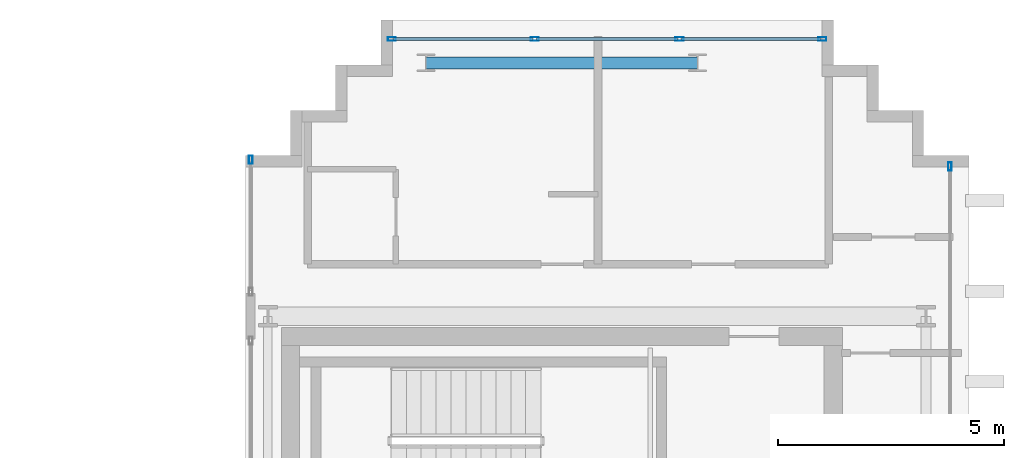
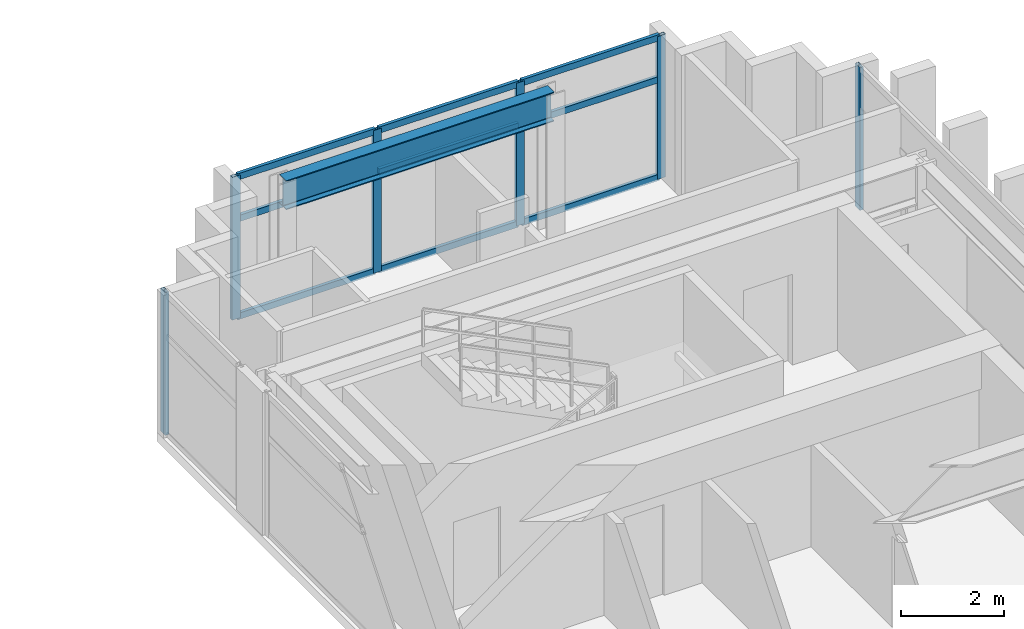
# One storey, part 17 of 25: 15 members, 1 beam, 3 elements without a shape of their own.
"""IFC4 building model written with IfcOpenShell, lengths in metres."""

from ifc_helpers import new_model, si_unit, direction, frame, origin, origin_2d, place, context, subcontext, project, spatial, hollow_rectangle, i_section, extrude, source, transform, mapped, material, layer, layer_set, material_profile, profile_set, type_object, element, aggregate, save


model = new_model("IFC4")

# Units and contexts
model_context = context("Model", 3, precision=1e-05, world=origin(), true_north=direction((0.0, 1.0)))
body_context = subcontext(model_context, "Body", "Model", "MODEL_VIEW")
ifc_project = project(units=[si_unit("LENGTHUNIT", "METRE"), si_unit("AREAUNIT", "SQUARE_METRE"), si_unit("VOLUMEUNIT", "CUBIC_METRE"), si_unit("PLANEANGLEUNIT", "RADIAN"), si_unit("MASSUNIT", "GRAM", prefix="KILO")], contexts=[model_context])

# Site, building, storey
site_placement = place(None, origin())
site = spatial("IfcSite", under=ifc_project, at=site_placement, CompositionType="ELEMENT")
building_placement = place(site_placement, origin())
building = spatial("IfcBuilding", under=site, at=building_placement, Name="Ocotamira Hotel", CompositionType="ELEMENT")
storey_placement = place(building_placement, frame((0.0, 0.0, 258.0)))
storey = spatial("IfcBuildingStorey", under=building, at=storey_placement, Name="L65", CompositionType="ELEMENT", Elevation=258.0)

# Beam
ifc_material_1 = material(Name="Steel ASTM A992 Grade 50", Category="steel")
ifc_material_profile_1 = material_profile(ifc_material_1, i_section(OverallWidth=0.256103515625, OverallDepth=0.693115234375, WebThickness=0.014404296875, FlangeThickness=0.023681640625, FilletRadius=0.01611328125, at=origin_2d()), Name="W27X114")
ifc_profile_set_1 = profile_set([ifc_material_profile_1], Name="Steel ASTM A992 Grade 50")
beam_type = type_object("IfcBeamType", Name="BM-PRIM-W27X114", PredefinedType="BEAM", material=ifc_profile_set_1)
shared_shape_1 = source(origin(), body_context, "Body", "SweptSolid", [
    extrude(i_section(OverallWidth=0.256103515625, OverallDepth=0.693115234375, WebThickness=0.014404296875, FlangeThickness=0.023681640625, FilletRadius=0.01611328125, at=origin_2d()), origin(), (0.0, 0.0, 1.0), 6.0),
])
beam_placement = place(storey_placement, frame((44.0, 43.050048828125, 3.033447265625), z_axis=(1.0, 0.0, 0.0), x_axis=(0.0, 1.0, 0.0)))
element("IfcBeam", 1, at=beam_placement, inside=storey, type_object=beam_type, Name="L65 Girder Y43.05 X44-50", PredefinedType="BEAM", context=body_context, shape_type="MappedRepresentation", body=[
    mapped(shared_shape_1, transform((0.0, 0.0, 0.0), scale=1.0)),
])

# Curtain wall, members
ifc_material_2 = material(Name="Anodised pale-metal aluminium and solar glass", Category="aluminium")
ifc_layer = layer(ifc_material_2, 0.2099609375)
ifc_layer_set = layer_set([ifc_layer], Name="Anodised pale-metal aluminium and solar glass")
curtain_wall_type = type_object("IfcCurtainWallType", Name="CW-SYS7-PEAK", PredefinedType="NOTDEFINED", material=ifc_layer_set)
curtain_wall_1_placement = place(storey_placement, origin())
curtain_wall_1 = element("IfcCurtainWall", 2, at=curtain_wall_1_placement, inside=storey, type_object=curtain_wall_type, Name="L65 Curtain Wall CW-7 CW-L65-EN", PredefinedType="NOTDEFINED")
ifc_material_3 = material(Name="Anodised pale-metal aluminium 6063-T6", Category="aluminium")
ifc_material_profile_2 = material_profile(ifc_material_3, hollow_rectangle(XDim=0.080078125, YDim=0.179931640625, WallThickness=0.006103515625, at=origin_2d()), Name="HSS180X80X6")
ifc_profile_set_2 = profile_set([ifc_material_profile_2], Name="Anodised pale-metal aluminium 6063-T6")
member_type_1 = type_object("IfcMemberType", Name="CWM-180X75", PredefinedType="MULLION", material=ifc_profile_set_2)
shared_shape_2 = source(origin(), body_context, "Body", "SweptSolid", [
    extrude(hollow_rectangle(XDim=0.080078125, YDim=0.179931640625, WallThickness=0.006103515625, at=origin_2d()), origin(), (0.0, 0.0, 1.0), 3.3798828125),
])
member_1_placement = place(storey_placement, frame((43.239990234375, 43.580078125, 0.0), z_axis=(0.0, 0.0, 1.0), x_axis=(0.0, 1.0, 0.0)))
member_1 = element("IfcMember", 3, at=member_1_placement, type_object=member_type_1, Name="CW-7 mullion 1", PredefinedType="MULLION", context=body_context, shape_type="MappedRepresentation", body=[
    mapped(shared_shape_2, transform((0.0, 0.0, 0.0), scale=1.0)),
])
member_2_placement = place(storey_placement, frame((46.39990234375, 43.580078125, 0.0), z_axis=(0.0, 0.0, 1.0), x_axis=(0.0, 1.0, 0.0)))
member_2 = element("IfcMember", 4, at=member_2_placement, type_object=member_type_1, Name="CW-7 mullion 2", PredefinedType="MULLION", context=body_context, shape_type="MappedRepresentation", body=[
    mapped(shared_shape_2, transform((0.0, 0.0, 0.0), scale=1.0)),
])
member_3_placement = place(storey_placement, frame((49.60009765625, 43.580078125, 0.0), z_axis=(0.0, 0.0, 1.0), x_axis=(0.0, 1.0, 0.0)))
member_3 = element("IfcMember", 5, at=member_3_placement, type_object=member_type_1, Name="CW-7 mullion 3", PredefinedType="MULLION", context=body_context, shape_type="MappedRepresentation", body=[
    mapped(shared_shape_2, transform((0.0, 0.0, 0.0), scale=1.0)),
])
member_4_placement = place(storey_placement, frame((52.760009765625, 43.580078125, 0.0), z_axis=(0.0, 0.0, 1.0), x_axis=(0.0, 1.0, 0.0)))
member_4 = element("IfcMember", 6, at=member_4_placement, type_object=member_type_1, Name="CW-7 mullion 4", PredefinedType="MULLION", context=body_context, shape_type="MappedRepresentation", body=[
    mapped(shared_shape_2, transform((0.0, 0.0, 0.0), scale=1.0)),
])

# Curtain wall, member
curtain_wall_2_placement = place(storey_placement, origin())
curtain_wall_2 = element("IfcCurtainWall", 7, at=curtain_wall_2_placement, inside=storey, type_object=curtain_wall_type, Name="L65 Curtain Wall CW-7 CW-L65-EO2", PredefinedType="NOTDEFINED")
member_5_placement = place(storey_placement, frame((55.580078125, 40.760009765625, 0.0), z_axis=(0.0, 0.0, 1.0), x_axis=(-1.0, 0.0, 0.0)))
member_5 = element("IfcMember", 8, at=member_5_placement, type_object=member_type_1, Name="CW-7 mullion 3", PredefinedType="MULLION", context=body_context, shape_type="MappedRepresentation", body=[
    mapped(shared_shape_2, transform((0.0, 0.0, 0.0), scale=1.0)),
])
aggregate(curtain_wall_2, [member_5])

curtain_wall_3_placement = place(storey_placement, origin())
curtain_wall_3 = element("IfcCurtainWall", 9, at=curtain_wall_3_placement, inside=storey, type_object=curtain_wall_type, Name="L65 Curtain Wall CW-7 CW-L65-EI4", PredefinedType="NOTDEFINED")
member_6_placement = place(storey_placement, frame((40.1201171875, 40.909912109375, 0.0), z_axis=(0.0, 0.0, 1.0), x_axis=(-1.0, 0.0, 0.0)))
member_6 = element("IfcMember", 10, at=member_6_placement, type_object=member_type_1, Name="CW-7 mullion 2", PredefinedType="MULLION", context=body_context, shape_type="MappedRepresentation", body=[
    mapped(shared_shape_2, transform((0.0, 0.0, 0.0), scale=1.0)),
])
aggregate(curtain_wall_3, [member_6])

# Member
ifc_material_profile_3 = material_profile(ifc_material_3, hollow_rectangle(XDim=0.074951171875, YDim=0.14990234375, WallThickness=0.006103515625, at=origin_2d()), Name="HSS150X75X6")
ifc_profile_set_3 = profile_set([ifc_material_profile_3], Name="Anodised pale-metal aluminium 6063-T6")
member_type_2 = type_object("IfcMemberType", Name="CWT-150X75", PredefinedType="USERDEFINED", material=ifc_profile_set_3)
shared_shape_3 = source(origin(), body_context, "Body", "SweptSolid", [
    extrude(hollow_rectangle(XDim=0.074951171875, YDim=0.14990234375, WallThickness=0.006103515625, at=origin_2d()), origin(), (0.0, 0.0, 1.0), 3.080078125),
])
member_7_placement = place(storey_placement, frame((43.280029296875, 43.580078125, 0.03759765625), z_axis=(1.0, 0.0, 0.0), x_axis=(0.0, 1.0, 0.0)))
member_7 = element("IfcMember", 11, at=member_7_placement, type_object=member_type_2, Name="CW-7 transom 1.1", ObjectType="TRANSOM", PredefinedType="USERDEFINED", context=body_context, shape_type="MappedRepresentation", body=[
    mapped(shared_shape_3, transform((0.0, 0.0, 0.0), scale=1.0)),
])

member_8_placement = place(storey_placement, frame((43.280029296875, 43.580078125, 2.35009765625), z_axis=(1.0, 0.0, 0.0), x_axis=(0.0, 1.0, 0.0)))
member_8 = element("IfcMember", 12, at=member_8_placement, type_object=member_type_2, Name="CW-7 transom 1.2", ObjectType="TRANSOM", PredefinedType="USERDEFINED", context=body_context, shape_type="MappedRepresentation", body=[
    mapped(shared_shape_3, transform((0.0, 0.0, 0.0), scale=1.0)),
])

member_9_placement = place(storey_placement, frame((43.280029296875, 43.580078125, 3.342529296875), z_axis=(1.0, 0.0, 0.0), x_axis=(0.0, 1.0, 0.0)))
member_9 = element("IfcMember", 13, at=member_9_placement, type_object=member_type_2, Name="CW-7 transom 1.3", ObjectType="TRANSOM", PredefinedType="USERDEFINED", context=body_context, shape_type="MappedRepresentation", body=[
    mapped(shared_shape_3, transform((0.0, 0.0, 0.0), scale=1.0)),
])

member_10_placement = place(storey_placement, frame((49.639892578125, 43.580078125, 0.03759765625), z_axis=(1.0, 0.0, 0.0), x_axis=(0.0, 1.0, 0.0)))
member_10 = element("IfcMember", 14, at=member_10_placement, type_object=member_type_2, Name="CW-7 transom 3.1", ObjectType="TRANSOM", PredefinedType="USERDEFINED", context=body_context, shape_type="MappedRepresentation", body=[
    mapped(shared_shape_3, transform((0.0, 0.0, 0.0), scale=1.0)),
])

member_11_placement = place(storey_placement, frame((49.639892578125, 43.580078125, 2.35009765625), z_axis=(1.0, 0.0, 0.0), x_axis=(0.0, 1.0, 0.0)))
member_11 = element("IfcMember", 15, at=member_11_placement, type_object=member_type_2, Name="CW-7 transom 3.2", ObjectType="TRANSOM", PredefinedType="USERDEFINED", context=body_context, shape_type="MappedRepresentation", body=[
    mapped(shared_shape_3, transform((0.0, 0.0, 0.0), scale=1.0)),
])

member_12_placement = place(storey_placement, frame((49.639892578125, 43.580078125, 3.342529296875), z_axis=(1.0, 0.0, 0.0), x_axis=(0.0, 1.0, 0.0)))
member_12 = element("IfcMember", 16, at=member_12_placement, type_object=member_type_2, Name="CW-7 transom 3.3", ObjectType="TRANSOM", PredefinedType="USERDEFINED", context=body_context, shape_type="MappedRepresentation", body=[
    mapped(shared_shape_3, transform((0.0, 0.0, 0.0), scale=1.0)),
])

shared_shape_4 = source(origin(), body_context, "Body", "SweptSolid", [
    extrude(hollow_rectangle(XDim=0.074951171875, YDim=0.14990234375, WallThickness=0.006103515625, at=origin_2d()), origin(), (0.0, 0.0, 1.0), 3.1201171875),
])
member_13_placement = place(storey_placement, frame((46.43994140625, 43.580078125, 0.03759765625), z_axis=(1.0, 0.0, 0.0), x_axis=(0.0, 1.0, 0.0)))
member_13 = element("IfcMember", 17, at=member_13_placement, type_object=member_type_2, Name="CW-7 transom 2.1", ObjectType="TRANSOM", PredefinedType="USERDEFINED", context=body_context, shape_type="MappedRepresentation", body=[
    mapped(shared_shape_4, transform((0.0, 0.0, 0.0), scale=1.0)),
])

member_14_placement = place(storey_placement, frame((46.43994140625, 43.580078125, 2.35009765625), z_axis=(1.0, 0.0, 0.0), x_axis=(0.0, 1.0, 0.0)))
member_14 = element("IfcMember", 18, at=member_14_placement, type_object=member_type_2, Name="CW-7 transom 2.2", ObjectType="TRANSOM", PredefinedType="USERDEFINED", context=body_context, shape_type="MappedRepresentation", body=[
    mapped(shared_shape_4, transform((0.0, 0.0, 0.0), scale=1.0)),
])

member_15_placement = place(storey_placement, frame((46.43994140625, 43.580078125, 3.342529296875), z_axis=(1.0, 0.0, 0.0), x_axis=(0.0, 1.0, 0.0)))
member_15 = element("IfcMember", 19, at=member_15_placement, type_object=member_type_2, Name="CW-7 transom 2.3", ObjectType="TRANSOM", PredefinedType="USERDEFINED", context=body_context, shape_type="MappedRepresentation", body=[
    mapped(shared_shape_4, transform((0.0, 0.0, 0.0), scale=1.0)),
])

aggregate(curtain_wall_1, [member_1, member_2, member_3, member_4, member_7, member_8, member_9, member_13, member_14, member_15, member_10, member_11, member_12])

save(model, "model.ifc")
